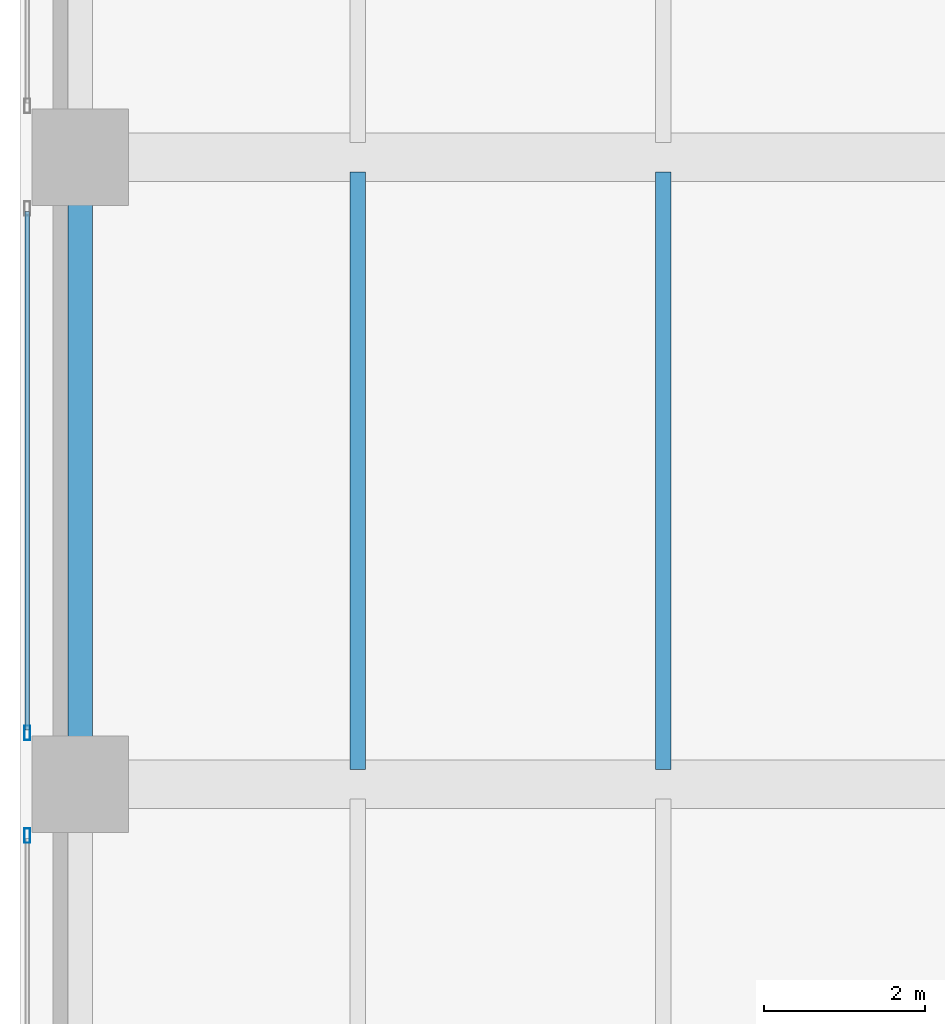
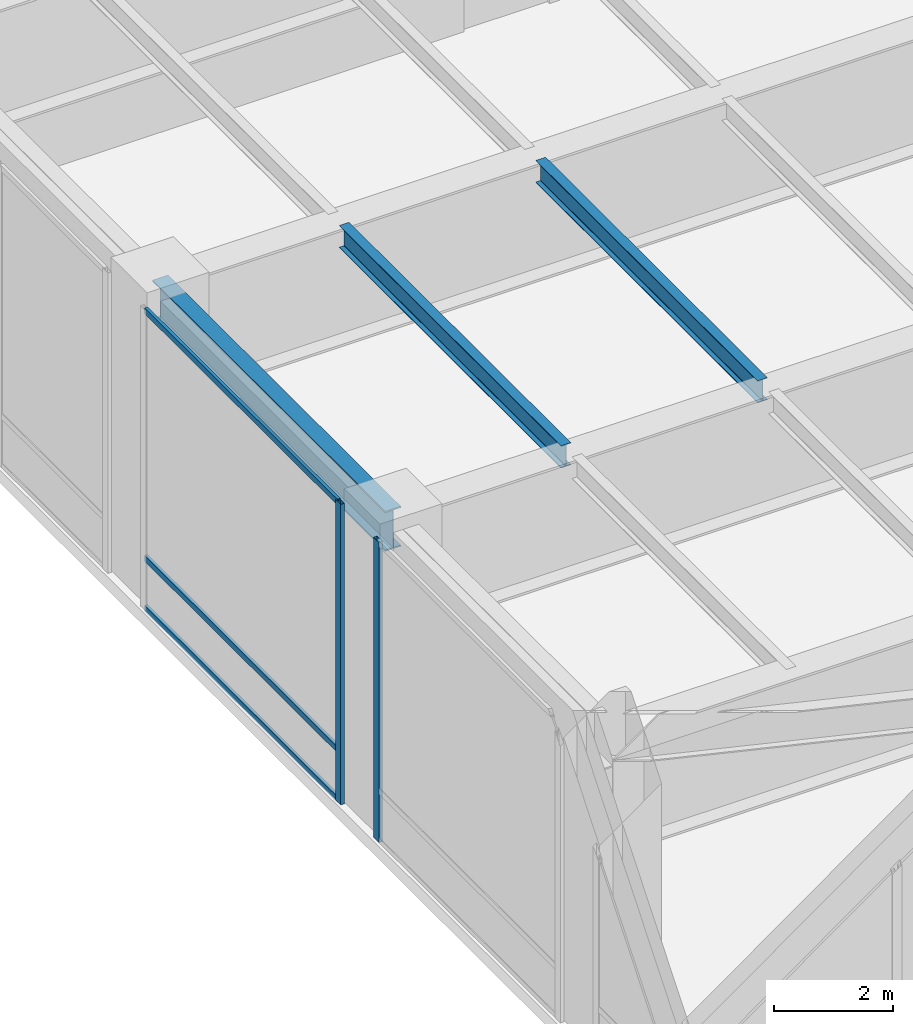
# One storey, part 5 of 50: 5 members, 3 beams, 2 elements without a shape of their own.
"""IFC4 building model written with IfcOpenShell, lengths in metres."""

from ifc_helpers import new_model, si_unit, direction, frame, origin, origin_2d, place, context, subcontext, project, spatial, hollow_rectangle, i_section, extrude, source, transform, mapped, material, layer, layer_set, material_profile, profile_set, type_object, type_shapes, element, aggregate, save


model = new_model("IFC4")

# Units and contexts
model_context = context("Model", 3, precision=1e-05, world=origin(), true_north=direction((0.0, 1.0)))
body_context = subcontext(model_context, "Body", "Model", "MODEL_VIEW")
ifc_project = project(units=[si_unit("LENGTHUNIT", "METRE"), si_unit("AREAUNIT", "SQUARE_METRE"), si_unit("VOLUMEUNIT", "CUBIC_METRE"), si_unit("PLANEANGLEUNIT", "RADIAN"), si_unit("MASSUNIT", "GRAM", prefix="KILO")], contexts=[model_context])

# Site, building, storey
site_placement = place(None, origin())
site = spatial("IfcSite", under=ifc_project, at=site_placement, CompositionType="ELEMENT")
building_placement = place(site_placement, origin())
building = spatial("IfcBuilding", under=site, at=building_placement, Name="Tolvann Quenvar Hotel", CompositionType="ELEMENT")
storey_placement = place(building_placement, frame((0.0, 0.0, 16.0)))
storey = spatial("IfcBuildingStorey", under=building, at=storey_placement, Name="L03", CompositionType="ELEMENT", Elevation=16.0)

# Beams
ifc_material_1 = material(Name="Steel Grade 350", Category="steel")
ifc_material_profile_1 = material_profile(ifc_material_1, i_section(OverallWidth=0.300048828125, OverallDepth=0.81591796875, WebThickness=0.010009765625, FlangeThickness=0.028076171875, at=origin_2d()), Name="800WB192")
ifc_profile_set_1 = profile_set([ifc_material_profile_1], Name="Steel Grade 350")
beam_type_1 = type_object("IfcBeamType", Name="BM_GIRD_800WB192", PredefinedType="BEAM", material=ifc_profile_set_1)
shared_shape_1 = source(origin(), body_context, "Body", "SweptSolid", [
    extrude(i_section(OverallWidth=0.300048828125, OverallDepth=0.81591796875, WebThickness=0.010009765625, FlangeThickness=0.028076171875, at=origin_2d()), origin(), (0.0, 0.0, 1.0), 7.800048828125),
])
type_shapes(beam_type_1, [shared_shape_1])
beam_placement = place(storey_placement, frame((-7.64990234375, 8.199951171875, 5.73193359375), z_axis=(0.0, 1.0, 0.0), x_axis=(-1.0, 0.0, 0.0)))
element("IfcBeam", 1, at=beam_placement, inside=storey, type_object=beam_type_1, Name="BM-L03-NS-A-1", PredefinedType="BEAM", context=body_context, shape_type="MappedRepresentation", body=[
    mapped(shared_shape_1, transform((0.0, 0.0, 0.0), x_axis=(1.0, 0.0, 0.0), y_axis=(0.0, 1.0, 0.0), z_axis=(0.0, 0.0, 1.0), scale=1.0)),
])
ifc_material_profile_2 = material_profile(ifc_material_1, i_section(OverallWidth=0.18994140625, OverallDepth=0.4541015625, WebThickness=0.008544921875, FlangeThickness=0.0126953125, FilletRadius=0.011474609375, at=origin_2d()), Name="460UB67")
ifc_profile_set_2 = profile_set([ifc_material_profile_2], Name="Steel Grade 350")
beam_type_2 = type_object("IfcBeamType", Name="BM_JOIST_460UB67", PredefinedType="JOIST", material=ifc_profile_set_2)
shared_shape_2 = source(origin(), body_context, "Body", "SweptSolid", [
    extrude(i_section(OverallWidth=0.18994140625, OverallDepth=0.4541015625, WebThickness=0.008544921875, FlangeThickness=0.0126953125, FilletRadius=0.011474609375, at=origin_2d()), origin(), (0.0, 0.0, 1.0), 7.429931640625),
])
type_shapes(beam_type_2, [shared_shape_2])
for number, where, z_axis, x_axis, name in (
    (2, (-4.199951171875, 8.385009765625, 5.9130859375), (0.0, 1.0, 0.0), (-1.0, 0.0, 0.0), "BJ-L03--42-82"),
    (3, (-0.39990234375, 8.385009765625, 5.9130859375), (0.0, 1.0, 0.0), (-1.0, 0.0, 0.0), "BJ-L03--4-82"),
):
    element("IfcBeam", number, at=place(storey_placement, frame(where, z_axis=z_axis, x_axis=x_axis)), inside=storey, type_object=beam_type_2, Name=name, PredefinedType="JOIST", context=body_context, shape_type="MappedRepresentation", body=[
        mapped(shared_shape_2, transform((0.0, 0.0, 0.0), x_axis=(1.0, 0.0, 0.0), y_axis=(0.0, 1.0, 0.0), z_axis=(0.0, 0.0, 1.0), scale=1.0)),
    ])

# Curtain wall, member
ifc_material_2 = material(Name="Thermally broken anodised architectural aluminium 6063-T6 and laminated low-E glass", Category="aluminium")
ifc_layer = layer(ifc_material_2, 0.179931640625)
ifc_layer_set = layer_set([ifc_layer], Name="Thermally broken anodised architectural aluminium 6063-T6 and laminated low-E glass")
curtain_wall_type = type_object("IfcCurtainWallType", Name="CW_SYS_BALL_02", PredefinedType="USERDEFINED", material=ifc_layer_set)
curtain_wall_1_placement = place(storey_placement, origin())
curtain_wall_1 = element("IfcCurtainWall", 4, at=curtain_wall_1_placement, inside=storey, type_object=curtain_wall_type, Name="Curtain Wall CW-BALL-02 (CWR-L03-E07-S5)", ObjectType="UNITISED CURTAIN WALL", PredefinedType="USERDEFINED")
ifc_material_3 = material(Name="Anodised architectural aluminium 6063-T6 framing", Category="aluminium")
ifc_material_profile_3 = material_profile(ifc_material_3, hollow_rectangle(XDim=0.070068359375, YDim=0.179931640625, WallThickness=0.00390625, at=origin_2d()), Name="180x70x4RHS")
ifc_profile_set_3 = profile_set([ifc_material_profile_3], Name="Anodised architectural aluminium 6063-T6 framing")
member_type_1 = type_object("IfcMemberType", Name="CW_MULL_180x70", PredefinedType="MULLION", material=ifc_profile_set_3)
shared_shape_3 = source(origin(), body_context, "Body", "SweptSolid", [
    extrude(hollow_rectangle(XDim=0.070068359375, YDim=0.179931640625, WallThickness=0.00390625, at=origin_2d()), origin(), (0.0, 0.0, 1.0), 6.139892578125),
])
type_shapes(member_type_1, [shared_shape_3])
member_1_placement = place(storey_placement, frame((-8.31005859375, 8.839111328125, 0.0), z_axis=(0.0, 0.0, 1.0), x_axis=(1.0, 0.0, 0.0)))
member_1 = element("IfcMember", 5, at=member_1_placement, type_object=member_type_1, Name="CW-BALL-02 mullion 2", PredefinedType="MULLION", context=body_context, shape_type="MappedRepresentation", body=[
    mapped(shared_shape_3, transform((0.0, 0.0, 0.0), x_axis=(1.0, 0.0, 0.0), y_axis=(0.0, 1.0, 0.0), z_axis=(0.0, 0.0, 1.0), scale=1.0)),
])

curtain_wall_2_placement = place(storey_placement, origin())
curtain_wall_2 = element("IfcCurtainWall", 6, at=curtain_wall_2_placement, inside=storey, type_object=curtain_wall_type, Name="Curtain Wall CW-BALL-02 (CWR-L03-E07-S6)", ObjectType="UNITISED CURTAIN WALL", PredefinedType="USERDEFINED")
member_2_placement = place(storey_placement, frame((-8.31005859375, 7.56103515625, 0.0), z_axis=(0.0, 0.0, 1.0), x_axis=(1.0, 0.0, 0.0)))
member_2 = element("IfcMember", 7, at=member_2_placement, type_object=member_type_1, Name="CW-BALL-02 mullion 1", PredefinedType="MULLION", context=body_context, shape_type="MappedRepresentation", body=[
    mapped(shared_shape_3, transform((0.0, 0.0, 0.0), x_axis=(1.0, 0.0, 0.0), y_axis=(0.0, 1.0, 0.0), z_axis=(0.0, 0.0, 1.0), scale=1.0)),
])
aggregate(curtain_wall_2, [member_2])

# Member
ifc_material_profile_4 = material_profile(ifc_material_3, hollow_rectangle(XDim=0.06005859375, YDim=0.1201171875, WallThickness=0.00341796875, at=origin_2d()), Name="120x60x3.5RHS")
ifc_profile_set_4 = profile_set([ifc_material_profile_4], Name="Anodised architectural aluminium 6063-T6 framing")
member_type_2 = type_object("IfcMemberType", Name="CW_TRAN_120x60", PredefinedType="USERDEFINED", material=ifc_profile_set_4)
shared_shape_4 = source(origin(), body_context, "Body", "SweptSolid", [
    extrude(hollow_rectangle(XDim=0.06005859375, YDim=0.1201171875, WallThickness=0.00341796875, at=origin_2d()), origin(), (0.0, 0.0, 1.0), 6.451904296875),
])
type_shapes(member_type_2, [shared_shape_4])
member_3_placement = place(storey_placement, frame((-8.31005859375, 15.325927734375, 0.030029296875), z_axis=(0.0, -1.0, 0.0), x_axis=(1.0, 0.0, 0.0)))
member_3 = element("IfcMember", 8, at=member_3_placement, type_object=member_type_2, Name="CW-BALL-02 transom 1.1", ObjectType="TRANSOM", PredefinedType="USERDEFINED", context=body_context, shape_type="MappedRepresentation", body=[
    mapped(shared_shape_4, transform((0.0, 0.0, 0.0), x_axis=(1.0, 0.0, 0.0), y_axis=(0.0, 1.0, 0.0), z_axis=(0.0, 0.0, 1.0), scale=1.0)),
])

member_4_placement = place(storey_placement, frame((-8.31005859375, 15.325927734375, 1.050048828125), z_axis=(0.0, -1.0, 0.0), x_axis=(1.0, 0.0, 0.0)))
member_4 = element("IfcMember", 9, at=member_4_placement, type_object=member_type_2, Name="CW-BALL-02 transom 1.2", ObjectType="TRANSOM", PredefinedType="USERDEFINED", context=body_context, shape_type="MappedRepresentation", body=[
    mapped(shared_shape_4, transform((0.0, 0.0, 0.0), x_axis=(1.0, 0.0, 0.0), y_axis=(0.0, 1.0, 0.0), z_axis=(0.0, 0.0, 1.0), scale=1.0)),
])

member_5_placement = place(storey_placement, frame((-8.31005859375, 15.325927734375, 6.110107421875), z_axis=(0.0, -1.0, 0.0), x_axis=(1.0, 0.0, 0.0)))
member_5 = element("IfcMember", 10, at=member_5_placement, type_object=member_type_2, Name="CW-BALL-02 transom 1.3", ObjectType="TRANSOM", PredefinedType="USERDEFINED", context=body_context, shape_type="MappedRepresentation", body=[
    mapped(shared_shape_4, transform((0.0, 0.0, 0.0), x_axis=(1.0, 0.0, 0.0), y_axis=(0.0, 1.0, 0.0), z_axis=(0.0, 0.0, 1.0), scale=1.0)),
])

aggregate(curtain_wall_1, [member_1, member_3, member_4, member_5])

save(model, "model.ifc")
